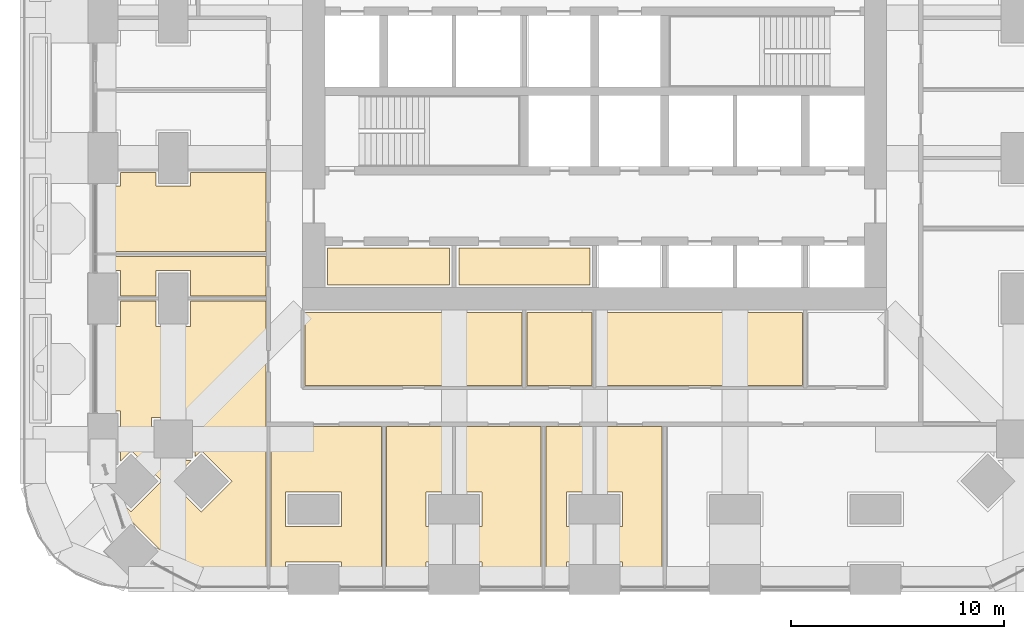
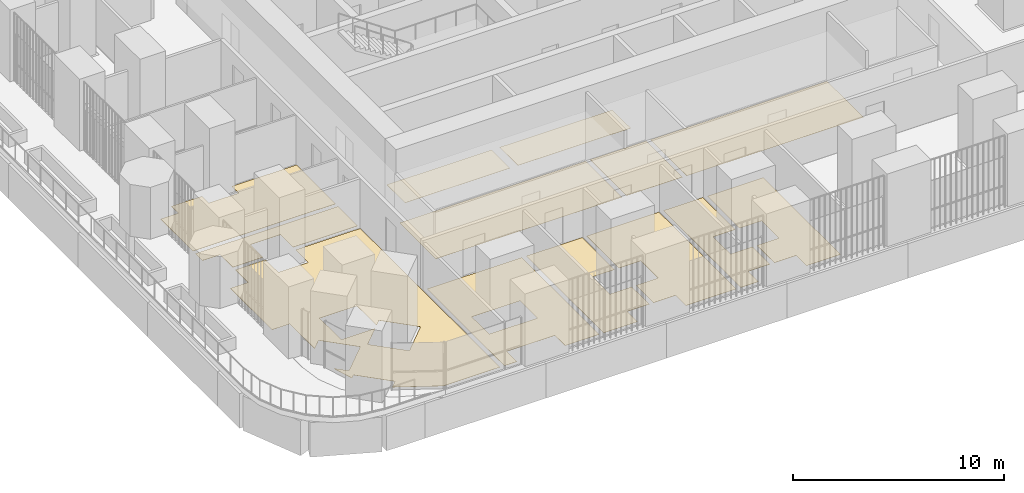
# One storey, part 22 of 27: 13 coverings.
"""IFC4 building model written with IfcOpenShell, lengths in metres."""

from ifc_helpers import new_model, si_unit, direction, frame, origin, place, context, subcontext, project, spatial, polyline, outline, extrude, material, layer, layer_set, type_object, element, save


model = new_model("IFC4")

# Units and contexts
model_context = context("Model", 3, precision=1e-05, world=origin(), true_north=direction((0.0, 1.0)))
body_context = subcontext(model_context, "Body", "Model", "MODEL_VIEW")
ifc_project = project(units=[si_unit("LENGTHUNIT", "METRE"), si_unit("AREAUNIT", "SQUARE_METRE"), si_unit("VOLUMEUNIT", "CUBIC_METRE"), si_unit("PLANEANGLEUNIT", "RADIAN"), si_unit("MASSUNIT", "GRAM", prefix="KILO")], contexts=[model_context])

# Site, building, storey
site_placement = place(None, origin())
site = spatial("IfcSite", under=ifc_project, at=site_placement, CompositionType="ELEMENT")
building_placement = place(site_placement, origin())
building = spatial("IfcBuilding", under=site, at=building_placement, Name="Cobogo Forest Laboratory Tower", CompositionType="ELEMENT")
storey_placement = place(building_placement, frame((0.0, 0.0, 82.199951171875)))
storey = spatial("IfcBuildingStorey", under=building, at=storey_placement, Name="L18", CompositionType="ELEMENT", Elevation=82.199951171875)

# Coverings
ifc_material_1 = material(Name="Carpet tile on raised access floor", Category="flooring")
ifc_layer_1 = layer(ifc_material_1, 0.008056640625)
ifc_layer_set_1 = layer_set([ifc_layer_1], Name="CT1 carpet tile floor 8")
covering_type_1 = type_object("IfcCoveringType", Name="CT1 carpet tile floor 8", PredefinedType="FLOORING", material=ifc_layer_set_1)
covering_1_placement = place(storey_placement, origin())
element("IfcCovering", 1, at=covering_1_placement, inside=storey, type_object=covering_type_1, Name="Carpet floor L18-07", PredefinedType="FLOORING", context=body_context, shape_type="SweptSolid", body=[
    extrude(outline(polyline([(23.8798828125, 7.179931640625), (23.8798828125, -0.14990234375), (21.1201171875, -0.14990234375), (21.1201171875, 0.820068359375), (19.919921875, 0.820068359375), (19.919921875, 2.47998046875), (21.1201171875, 2.47998046875), (21.1201171875, 4.1201171875), (19.919921875, 4.1201171875), (19.919921875, 7.179931640625), (23.8798828125, 7.179931640625)])), origin(), (0.0, 0.0, 1.0), 0.008056640625),
])
covering_2_placement = place(storey_placement, origin())
element("IfcCovering", 2, at=covering_2_placement, inside=storey, type_object=covering_type_1, Name="Carpet floor L18-27", PredefinedType="FLOORING", context=body_context, shape_type="SweptSolid", body=[
    extrude(outline(polyline([(4.1201171875, 5.5625), (4.1201171875, 7.919921875), (3.14990234375, 7.919921875), (3.14990234375, 11.8798828125), (4.1201171875, 11.8798828125), (4.1201171875, 13.080078125), (5.780029296875, 13.080078125), (5.780029296875, 11.8798828125), (7.419921875, 11.8798828125), (7.419921875, 13.080078125), (10.955078125, 13.080078125), (10.955078125, -0.14990234375), (7.84912109375, -0.14990234375), (5.712646484375, 0.969970703125), (6.060546875, 1.318115234375), (4.617919921875, 2.760498046875), (4.43115234375, 2.57373046875), (4.067138671875, 3.726318359375), (4.617919921875, 3.175537109375), (6.060546875, 4.617919921875), (4.617919921875, 6.060546875), (4.1201171875, 5.5625)]), holes=[polyline([(5.580078125, 7.6201171875), (5.580078125, 5.580078125), (7.4375, 5.580078125), (6.4755859375, 4.617919921875), (7.91796875, 3.175537109375), (9.360595703125, 4.617919921875), (7.91796875, 6.060546875), (7.6201171875, 5.762451171875), (7.6201171875, 7.6201171875), (5.580078125, 7.6201171875)])]), origin(), (0.0, 0.0, 1.0), 0.008056640625),
])
covering_3_placement = place(storey_placement, origin())
element("IfcCovering", 3, at=covering_3_placement, inside=storey, type_object=covering_type_1, Name="Carpet floor L18-41", PredefinedType="FLOORING", context=body_context, shape_type="SweptSolid", body=[
    extrude(outline(polyline([(19.580078125, 13.844970703125), (13.844970703125, 13.844970703125), (13.844970703125, 15.580078125), (19.580078125, 15.580078125), (19.580078125, 13.844970703125)])), origin(), (0.0, 0.0, 1.0), 0.008056640625),
])
ifc_material_2 = material(Name="Epoxy resin flooring", Category="flooring")
ifc_layer_2 = layer(ifc_material_2, 0.00390625)
ifc_layer_set_2 = layer_set([ifc_layer_2], Name="LF1 epoxy laboratory floor 4")
covering_type_2 = type_object("IfcCoveringType", Name="LF1 epoxy laboratory floor 4", PredefinedType="FLOORING", material=ifc_layer_set_2)
covering_4_placement = place(storey_placement, origin())
element("IfcCovering", 4, at=covering_4_placement, inside=storey, type_object=covering_type_2, Name="Epoxy laboratory floor L18-01", PredefinedType="FLOORING", context=body_context, shape_type="SweptSolid", body=[
    extrude(outline(polyline([(22.97998046875, 9.1201171875), (12.794921875, 9.1201171875), (12.794921875, 12.554931640625), (22.97998046875, 12.554931640625), (22.97998046875, 9.1201171875)])), origin(), (0.0, 0.0, 1.0), 0.004150390625),
])
covering_5_placement = place(storey_placement, origin())
element("IfcCovering", 5, at=covering_5_placement, inside=storey, type_object=covering_type_2, Name="Epoxy laboratory floor L18-03", PredefinedType="FLOORING", context=body_context, shape_type="SweptSolid", body=[
    extrude(outline(polyline([(36.179931640625, 9.1201171875), (26.52001953125, 9.1201171875), (26.52001953125, 12.554931640625), (36.179931640625, 12.554931640625), (36.179931640625, 9.1201171875)])), origin(), (0.0, 0.0, 1.0), 0.004150390625),
])
covering_6_placement = place(storey_placement, origin())
element("IfcCovering", 6, at=covering_6_placement, inside=storey, type_object=covering_type_2, Name="Epoxy laboratory floor L18-05", PredefinedType="FLOORING", context=body_context, shape_type="SweptSolid", body=[
    extrude(outline(polyline([(16.3798828125, 7.179931640625), (16.3798828125, -0.14990234375), (14.52001953125, -0.14990234375), (14.52001953125, 0.820068359375), (11.8798828125, 0.820068359375), (11.8798828125, -0.14990234375), (11.195068359375, -0.14990234375), (11.195068359375, 7.179931640625), (16.3798828125, 7.179931640625)]), holes=[polyline([(11.8798828125, 4.1201171875), (11.8798828125, 2.47998046875), (14.52001953125, 2.47998046875), (14.52001953125, 4.1201171875), (11.8798828125, 4.1201171875)])]), origin(), (0.0, 0.0, 1.0), 0.004150390625),
])
covering_7_placement = place(storey_placement, origin())
element("IfcCovering", 7, at=covering_7_placement, inside=storey, type_object=covering_type_2, Name="Epoxy laboratory floor L18-06", PredefinedType="FLOORING", context=body_context, shape_type="SweptSolid", body=[
    extrude(outline(polyline([(19.679931640625, 7.179931640625), (19.679931640625, 4.1201171875), (18.47998046875, 4.1201171875), (18.47998046875, 2.47998046875), (19.679931640625, 2.47998046875), (19.679931640625, 0.820068359375), (18.47998046875, 0.820068359375), (18.47998046875, -0.14990234375), (16.6201171875, -0.14990234375), (16.6201171875, 7.179931640625), (19.679931640625, 7.179931640625)])), origin(), (0.0, 0.0, 1.0), 0.004150390625),
])
covering_8_placement = place(storey_placement, origin())
element("IfcCovering", 8, at=covering_8_placement, inside=storey, type_object=covering_type_2, Name="Epoxy laboratory floor L18-09", PredefinedType="FLOORING", context=body_context, shape_type="SweptSolid", body=[
    extrude(outline(polyline([(29.580078125, 7.179931640625), (29.580078125, -0.14990234375), (27.719970703125, -0.14990234375), (27.719970703125, 0.820068359375), (26.52001953125, 0.820068359375), (26.52001953125, 2.47998046875), (27.719970703125, 2.47998046875), (27.719970703125, 4.1201171875), (26.52001953125, 4.1201171875), (26.52001953125, 7.179931640625), (29.580078125, 7.179931640625)])), origin(), (0.0, 0.0, 1.0), 0.004150390625),
])
ifc_material_3 = material(Name="Ceramic floor tile", Category="flooring")
ifc_layer_3 = layer(ifc_material_3, 0.010009765625)
ifc_layer_set_3 = layer_set([ifc_layer_3], Name="TF1 ceramic tile floor 10")
covering_type_3 = type_object("IfcCoveringType", Name="TF1 ceramic tile floor 10", PredefinedType="FLOORING", material=ifc_layer_set_3)
covering_9_placement = place(storey_placement, origin())
element("IfcCovering", 9, at=covering_9_placement, inside=storey, type_object=covering_type_3, Name="Tile floor L18-02", PredefinedType="FLOORING", context=body_context, shape_type="SweptSolid", body=[
    extrude(outline(polyline([(26.280029296875, 9.1201171875), (23.219970703125, 9.1201171875), (23.219970703125, 12.554931640625), (26.280029296875, 12.554931640625), (26.280029296875, 9.1201171875)])), origin(), (0.0, 0.0, 1.0), 0.010009765625),
])
covering_10_placement = place(storey_placement, origin())
element("IfcCovering", 10, at=covering_10_placement, inside=storey, type_object=covering_type_3, Name="Tile floor L18-08", PredefinedType="FLOORING", context=body_context, shape_type="SweptSolid", body=[
    extrude(outline(polyline([(26.280029296875, 7.179931640625), (26.280029296875, 4.1201171875), (25.080078125, 4.1201171875), (25.080078125, 2.47998046875), (26.280029296875, 2.47998046875), (26.280029296875, 0.820068359375), (25.080078125, 0.820068359375), (25.080078125, -0.14990234375), (24.1201171875, -0.14990234375), (24.1201171875, 7.179931640625), (26.280029296875, 7.179931640625)])), origin(), (0.0, 0.0, 1.0), 0.010009765625),
])
covering_11_placement = place(storey_placement, origin())
element("IfcCovering", 11, at=covering_11_placement, inside=storey, type_object=covering_type_3, Name="Tile floor L18-28", PredefinedType="FLOORING", context=body_context, shape_type="SweptSolid", body=[
    extrude(outline(polyline([(10.955078125, 13.320068359375), (7.419921875, 13.320068359375), (7.419921875, 14.52001953125), (5.780029296875, 14.52001953125), (5.780029296875, 13.320068359375), (4.1201171875, 13.320068359375), (4.1201171875, 14.52001953125), (3.14990234375, 14.52001953125), (3.14990234375, 15.179931640625), (10.955078125, 15.179931640625), (10.955078125, 13.320068359375)])), origin(), (0.0, 0.0, 1.0), 0.010009765625),
])
covering_12_placement = place(storey_placement, origin())
element("IfcCovering", 12, at=covering_12_placement, inside=storey, type_object=covering_type_3, Name="Tile floor L18-29", PredefinedType="FLOORING", context=body_context, shape_type="SweptSolid", body=[
    extrude(outline(polyline([(10.955078125, 15.419921875), (3.14990234375, 15.419921875), (3.14990234375, 18.47998046875), (4.1201171875, 18.47998046875), (4.1201171875, 19.1298828125), (5.780029296875, 19.1298828125), (5.780029296875, 18.47998046875), (7.419921875, 18.47998046875), (7.419921875, 19.1298828125), (10.955078125, 19.1298828125), (10.955078125, 15.419921875)])), origin(), (0.0, 0.0, 1.0), 0.010009765625),
])
covering_13_placement = place(storey_placement, origin())
element("IfcCovering", 13, at=covering_13_placement, inside=storey, type_object=covering_type_3, Name="Tile floor L18-42", PredefinedType="FLOORING", context=body_context, shape_type="SweptSolid", body=[
    extrude(outline(polyline([(26.179931640625, 13.844970703125), (20.02001953125, 13.844970703125), (20.02001953125, 15.580078125), (26.179931640625, 15.580078125), (26.179931640625, 13.844970703125)])), origin(), (0.0, 0.0, 1.0), 0.010009765625),
])

save(model, "model.ifc")
